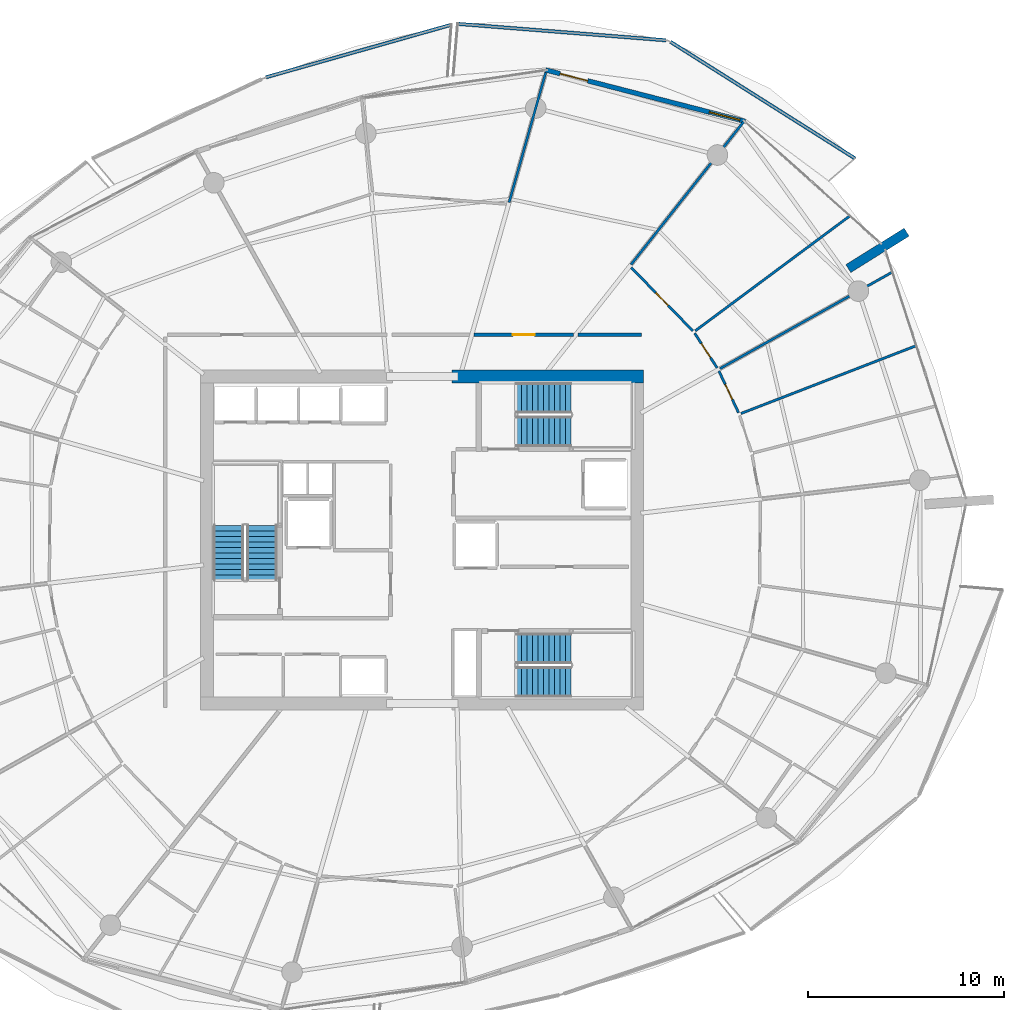
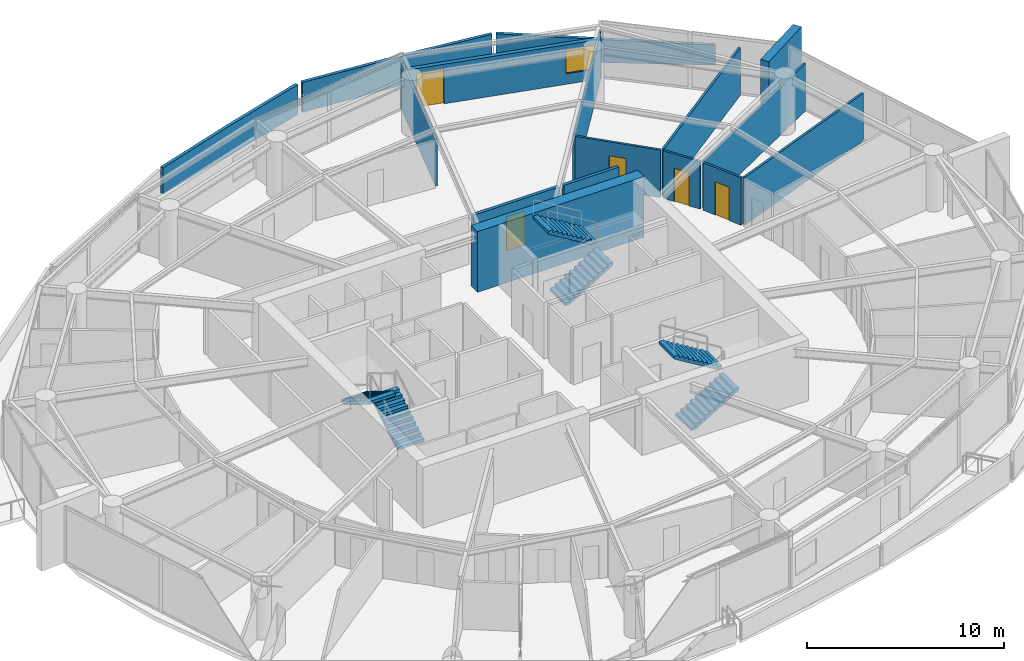
# One storey, part 15 of 20: 16 walls, 6 stair flights, 5 doors, 1 window, 6 openings, 3 elements without a shape of their own.
"""IFC4 building model written with IfcOpenShell, lengths in metres."""

import ifcopenshell
import ifcopenshell.guid

model = None  # the IFC model being written
_history = None  # IfcOwnerHistory: only IFC2X3 demands one
_inside = {}  # id of a spatial element -> (the spatial element, [elements in it])
_under = {}  # id of a project, library or spatial element -> (it, [spatial elements below it])
_declared = {}  # id of a project -> (the project, [libraries it declares])
_typed = {}  # id of a type object -> (the type object, [elements of that type])
_made_of = {}  # id of a material, layer set ... -> (it, [elements and type objects made of it])


def new_model(schema):
    """Start an empty IFC model of exactly this schema.

    Asked for "IFC4X3", IfcOpenShell would pick the latest addendum, in which some entities
    have other attributes; the version numbers below select the first issue.
    IFC2X3 requires an IfcOwnerHistory on every rooted entity: one is made here for all.
    """
    global model, _history
    if schema == "IFC4X3":
        model = ifcopenshell.file(schema_version=(4, 3, 0, 0))
    else:
        model = ifcopenshell.file(schema=schema)
    _inside.clear()
    _under.clear()
    _declared.clear()
    _typed.clear()
    _made_of.clear()
    _history = None
    if model.schema == "IFC2X3":
        org = make("IfcOrganization", Name="unknown")
        user = make(
            "IfcPersonAndOrganization",
            ThePerson=make("IfcPerson", FamilyName="unknown"),
            TheOrganization=org,
        )
        app = make(
            "IfcApplication",
            ApplicationDeveloper=org,
            Version="unknown",
            ApplicationFullName="unknown",
            ApplicationIdentifier="unknown",
        )
        _history = make(
            "IfcOwnerHistory",
            OwningUser=user,
            OwningApplication=app,
            ChangeAction="ADDED",
            CreationDate=0,
        )
    return model


def make(cls, **values):
    """One entity of the class cls with the attributes given. An attribute that is None is left unset."""
    return model.create_entity(
        cls, **{name: value for name, value in values.items() if value is not None}
    )


def rooted(cls, **values):
    """An entity with a GlobalId (a new one), such as an element, a storey or a relation."""
    return make(cls, GlobalId=ifcopenshell.guid.new(), OwnerHistory=_history, **values)


def si_unit(unit_type, name, prefix=None):
    """IfcSIUnit, for example si_unit("LENGTHUNIT", "METRE", prefix="MILLI")."""
    return make("IfcSIUnit", UnitType=unit_type, Prefix=prefix, Name=name)


def assignment(units):
    """IfcUnitAssignment: the units of a project."""
    return None if units is None else make("IfcUnitAssignment", Units=units)


def point(xyz):
    """IfcCartesianPoint."""
    return None if xyz is None else make("IfcCartesianPoint", Coordinates=xyz)


def direction(xyz):
    """IfcDirection."""
    return None if xyz is None else make("IfcDirection", DirectionRatios=xyz)


def frame(location, z_axis=None, x_axis=None):
    """IfcAxis2Placement3D, a coordinate frame: its origin and axes. An axis left out is left unset."""
    return make(
        "IfcAxis2Placement3D",
        Location=point(location),
        Axis=direction(z_axis),
        RefDirection=direction(x_axis),
    )


def frame_2d(location, x_axis=None):
    """IfcAxis2Placement2D, a coordinate frame in the plane: its origin and x axis."""
    return make(
        "IfcAxis2Placement2D", Location=point(location), RefDirection=direction(x_axis)
    )


def origin():
    """The frame at (0, 0, 0) with its axes left unset."""
    return frame((0.0, 0.0, 0.0))


def place(relative_to, where):
    """IfcLocalPlacement: puts the frame where relative to a parent placement (None: the world)."""
    return make(
        "IfcLocalPlacement", PlacementRelTo=relative_to, RelativePlacement=where
    )


def context(
    kind, dimensions, precision=None, world=None, true_north=None, identifier=None
):
    """IfcGeometricRepresentationContext, for example the 3D "Model" context."""
    return make(
        "IfcGeometricRepresentationContext",
        ContextIdentifier=identifier,
        ContextType=kind,
        CoordinateSpaceDimension=dimensions,
        Precision=precision,
        WorldCoordinateSystem=world,
        TrueNorth=true_north,
    )


def subcontext(parent, identifier, kind, view, scale=None):
    """IfcGeometricRepresentationSubContext, for example "Body" below "Model"."""
    return make(
        "IfcGeometricRepresentationSubContext",
        ContextIdentifier=identifier,
        ContextType=kind,
        ParentContext=parent,
        TargetScale=scale,
        TargetView=view,
    )


def project(units=None, contexts=None):
    """IfcProject with its units and contexts."""
    return rooted(
        "IfcProject",
        Name="project",
        RepresentationContexts=contexts,
        UnitsInContext=assignment(units),
    )


def spatial(cls, under=None, at=None, **own):
    """A site, building, storey or space (cls), placed at a placement, below another one or the project."""
    s = rooted(cls, ObjectPlacement=at, **own)
    if under is not None:
        _under.setdefault(under.id(), (under, []))[1].append(s)
    return s


def polyline(points):
    """IfcPolyline through the points."""
    return make("IfcPolyline", Points=[point(p) for p in points])


def profile(cls, at=None, kind="AREA", **sizes):
    """A parametric profile (cls). Its sizes go by their IFC names, for example OverallWidth=200.0."""
    return make(cls, ProfileType=kind, Position=at, **sizes)


def rectangle(**sizes):
    """IfcRectangleProfileDef."""
    return profile("IfcRectangleProfileDef", **sizes)


def outline(outer, holes=None, kind="AREA"):
    """IfcArbitraryClosedProfileDef: a profile drawn as a closed curve; with holes, ...WithVoids."""
    if holes is None:
        return make("IfcArbitraryClosedProfileDef", ProfileType=kind, OuterCurve=outer)
    return make(
        "IfcArbitraryProfileDefWithVoids",
        ProfileType=kind,
        OuterCurve=outer,
        InnerCurves=holes,
    )


def extrude(swept, where, along, depth):
    """IfcExtrudedAreaSolid: the profile swept, set in the frame where, extruded along a direction by depth."""
    return make(
        "IfcExtrudedAreaSolid",
        SweptArea=swept,
        Position=where,
        ExtrudedDirection=direction(along),
        Depth=depth,
    )


def shape(context_of_items, identifier, shape_type, items):
    """IfcShapeRepresentation: the items that make up one representation, for example the "Body"."""
    return make(
        "IfcShapeRepresentation",
        ContextOfItems=context_of_items,
        RepresentationIdentifier=identifier,
        RepresentationType=shape_type,
        Items=items,
    )


def material(Name=None, Category=None):
    """IfcMaterial."""
    return make("IfcMaterial", Name=Name, Category=Category)


def layer(
    of_material, thickness, ventilated=None, Name=None, Category=None, Priority=None
):
    """IfcMaterialLayer: one layer of a wall or slab, of a material (None: an air gap)."""
    return make(
        "IfcMaterialLayer",
        Material=of_material,
        LayerThickness=thickness,
        IsVentilated=ventilated,
        Name=Name,
        Category=Category,
        Priority=Priority,
    )


def layer_set(layers, Name=None):
    """IfcMaterialLayerSet."""
    return make("IfcMaterialLayerSet", MaterialLayers=layers, LayerSetName=Name)


def made_of(thing, what):
    """Note that an element or type object is made of a material, layer set ...; save() writes the relation."""
    if what is not None:
        _made_of.setdefault(what.id(), (what, []))[1].append(thing)
    return thing


def type_object(cls, material=None, **own):
    """A type object (cls), such as IfcWallType, which elements share."""
    return made_of(rooted(cls, **own), material)


def element(
    cls,
    number,
    at=None,
    inside=None,
    cuts=None,
    type_object=None,
    material=None,
    context=None,
    identifier="Body",
    shape_type=None,
    held_by="IfcProductDefinitionShape",
    body=None,
    shapes=None,
    **own,
):
    """One element of the class cls, such as IfcWall. Its Tag is "e" and its number.

    at: its placement. inside: the storey or other place that contains it. cuts: it is an
    opening in that element (IfcRelVoidsElement). A single representation is given by context,
    identifier, shape_type and body (its items); several are given by shapes. held_by: the class
    of the entity that holds the representations. save() writes the other relations.
    """
    e = rooted(cls, Tag="e%d" % number, ObjectPlacement=at, **own)
    if body is not None:
        shapes = [shape(context, identifier, shape_type, body)]
    if shapes is not None:
        e.Representation = make(held_by, Representations=shapes)
    if inside is not None:
        _inside.setdefault(inside.id(), (inside, []))[1].append(e)
    if cuts is not None:
        rooted(
            "IfcRelVoidsElement", RelatingBuildingElement=cuts, RelatedOpeningElement=e
        )
    if type_object is not None:
        _typed.setdefault(type_object.id(), (type_object, []))[1].append(e)
    return made_of(e, material)


def fill(opening, filler):
    """IfcRelFillsElement: the door or window that sits in an opening."""
    return rooted(
        "IfcRelFillsElement",
        RelatingOpeningElement=opening,
        RelatedBuildingElement=filler,
    )


def aggregate(whole, parts):
    """IfcRelAggregates: a whole, such as a stair, and the parts it consists of."""
    return rooted("IfcRelAggregates", RelatingObject=whole, RelatedObjects=parts)


def save(model, path):
    """Write the relations noted so far, then the file.

    IfcRelAggregates (storeys below a building ...), IfcRelContainedInSpatialStructure (elements
    in a storey), IfcRelDefinesByType, IfcRelAssociatesMaterial and IfcRelDeclares: one each for
    every whole, place, type object, material and project.
    """
    for whole, parts in _under.values():
        aggregate(whole, parts)
    for where, things in _inside.values():
        rooted(
            "IfcRelContainedInSpatialStructure",
            RelatedElements=things,
            RelatingStructure=where,
        )
    for kind, things in _typed.values():
        rooted("IfcRelDefinesByType", RelatedObjects=things, RelatingType=kind)
    for what, things in _made_of.values():
        rooted("IfcRelAssociatesMaterial", RelatedObjects=things, RelatingMaterial=what)
    for by, libraries in _declared.values():
        rooted("IfcRelDeclares", RelatingContext=by, RelatedDefinitions=libraries)
    model.write(path)


model = new_model("IFC4")

# Units and contexts
model_context = context("Model", 3, precision=1e-05, world=origin(), true_north=direction((0.0, 1.0)))
body_context = subcontext(model_context, "Body", "Model", "MODEL_VIEW")
ifc_project = project(units=[si_unit("LENGTHUNIT", "METRE"), si_unit("AREAUNIT", "SQUARE_METRE"), si_unit("VOLUMEUNIT", "CUBIC_METRE"), si_unit("PLANEANGLEUNIT", "RADIAN"), si_unit("MASSUNIT", "GRAM", prefix="KILO")], contexts=[model_context])

# Site, building, storey
site_placement = place(None, origin())
site = spatial("IfcSite", under=ifc_project, at=site_placement, CompositionType="ELEMENT")
building_placement = place(site_placement, origin())
building = spatial("IfcBuilding", under=site, at=building_placement, Name="Kazma Halo Residences", CompositionType="ELEMENT")
storey_placement = place(building_placement, frame((0.0, 0.0, 217.800048828125)))
storey = spatial("IfcBuildingStorey", under=building, at=storey_placement, Name="L55", CompositionType="ELEMENT", Elevation=217.800048828125)

# Walls
ifc_material_1 = material(Name="White Concrete C50/60 Balustrade", Category="concrete")
ifc_layer_1 = layer(ifc_material_1, 0.179931640625)
ifc_layer_set_1 = layer_set([ifc_layer_1], Name="White Concrete C50/60 Balustrade")
wall_type_1 = type_object("IfcWallType", Name="WL-BAL-WAVE-180", PredefinedType="PARAPET", material=ifc_layer_set_1)
wall_1_placement = place(storey_placement, frame((70.4599609375, 61.421142578125, 0.0), z_axis=(0.0, 0.0, 1.0), x_axis=(-0.845278126761, 0.53432657469, 0.0)))
element("IfcWall", 1, at=wall_1_placement, inside=storey, type_object=wall_type_1, Name="L55 white wave balustrade wall NE.1", PredefinedType="PARAPET", context=body_context, shape_type="SweptSolid", body=[
    extrude(outline(polyline([(0.0, 0.0), (11.123046875, 0.0), (11.123046875, 1.6318359375), (5.5615234375, 1.41796875), (0.0, 1.23291015625), (0.0, 0.0)])), frame((0.0, 0.08984375, 0.0), z_axis=(0.0, -1.0, 0.0), x_axis=(1.0, 0.0, 0.0)), (0.0, 0.0, 1.0), 0.179931640625),
])
wall_2_placement = place(storey_placement, frame((60.8369140625, 67.43798828125, 0.0), z_axis=(0.0, 0.0, 1.0), x_axis=(-0.996896537744, 0.078722887613, 0.0)))
element("IfcWall", 2, at=wall_2_placement, inside=storey, type_object=wall_type_1, Name="L55 white wave balustrade wall NE.2", PredefinedType="PARAPET", context=body_context, shape_type="SweptSolid", body=[
    extrude(outline(polyline([(0.0, 0.0), (10.640380859375, 0.0), (10.640380859375, 1.85986328125), (5.3203125, 1.7978515625), (0.0, 1.6318359375), (0.0, 0.0)])), frame((0.0, 0.08984375, 0.0), z_axis=(0.0, -1.0, 0.0), x_axis=(1.0, 0.0, 0.0)), (0.0, 0.0, 1.0), 0.179931640625),
])
wall_3_placement = place(storey_placement, frame((49.9033203125, 68.229736328125, 0.0), z_axis=(0.0, 0.0, 1.0), x_axis=(-0.962080224774, -0.272766642205, 0.0)))
element("IfcWall", 3, at=wall_3_placement, inside=storey, type_object=wall_type_1, Name="L55 white wave balustrade wall NNW.1", PredefinedType="PARAPET", context=body_context, shape_type="SweptSolid", body=[
    extrude(outline(polyline([(0.0, 0.0), (9.802734375, 0.0), (9.802490234375, 1.6318359375), (4.9013671875, 1.7978515625), (0.0, 1.85986328125), (0.0, 0.0)])), frame((0.0, 0.08984375, 0.0), z_axis=(0.0, -1.0, 0.0), x_axis=(1.0, 0.0, 0.0)), (0.0, 0.0, 1.0), 0.179931640625),
])
ifc_material_2 = material(Name="Pale Concrete C60/75", Category="concrete")
ifc_layer_2 = layer(ifc_material_2, 0.47998046875)
ifc_layer_set_2 = layer_set([ifc_layer_2], Name="Pale Concrete C60/75")
wall_type_2 = type_object("IfcWallType", Name="WL-BLADE-480", PredefinedType="SOLIDWALL", material=ifc_layer_set_2)
wall_4_placement = place(storey_placement, frame((70.11376953125, 55.818115234375, 0.0), z_axis=(0.0, 0.0, 1.0), x_axis=(0.848033572426, 0.529942506352, 0.0)))
element("IfcWall", 4, at=wall_4_placement, inside=storey, type_object=wall_type_2, Name="L55 pale concrete structural blade fin wall BW-01", PredefinedType="SOLIDWALL", context=body_context, shape_type="SweptSolid", body=[
    extrude(rectangle(XDim=3.5, YDim=0.47998046875, at=frame_2d((1.75, 0.0))), origin(), (0.0, 0.0, 1.0), 3.75),
])
ifc_material_3 = material(Name="Concrete C60/75", Category="concrete")
ifc_layer_3 = layer(ifc_material_3, 0.64990234375)
ifc_layer_set_3 = layer_set([ifc_layer_3], Name="Concrete C60/75")
wall_type_3 = type_object("IfcWallType", Name="WL-CORE-650", PredefinedType="SHEAR", material=ifc_layer_set_3)
wall_5_placement = place(storey_placement, frame((49.949951171875, 50.324951171875, 0.0), z_axis=(0.0, 0.0, 1.0), x_axis=(1.0, 0.0, 0.0)))
element("IfcWall", 5, at=wall_5_placement, inside=storey, type_object=wall_type_3, Name="L55 central core shear wall NE", PredefinedType="SHEAR", context=body_context, shape_type="SweptSolid", body=[
    extrude(rectangle(XDim=9.75, YDim=0.64990234375, at=frame_2d((4.875, 0.0))), origin(), (0.0, 0.0, 1.0), 3.75),
])

# Wall, opening, door
ifc_material_4 = material(Name="Acoustic Twin-Stud Gypsum")
ifc_layer_4 = layer(ifc_material_4, 0.179931640625)
ifc_layer_set_4 = layer_set([ifc_layer_4], Name="Acoustic Twin-Stud Gypsum")
wall_type_4 = type_object("IfcWallType", Name="WL-DEM-180", PredefinedType="PARTITIONING", material=ifc_layer_set_4)
wall_6_placement = place(storey_placement, frame((56.1181640625, 52.449951171875, 0.0), z_axis=(0.0, 0.0, 1.0), x_axis=(-1.0, 0.0, 0.0)))
wall_6 = element("IfcWall", 6, at=wall_6_placement, inside=storey, type_object=wall_type_4, Name="L55 Apartment 2 entrance corridor wall", PredefinedType="PARTITIONING", context=body_context, shape_type="SweptSolid", body=[
    extrude(rectangle(XDim=5.051025390625, YDim=0.179931640625, at=frame_2d((2.525390625, 0.0))), origin(), (0.0, 0.0, 1.0), 2.93994140625),
])
opening_1_placement = place(wall_6_placement, frame((1.975341796875, 0.0, 0.0)))
opening_1 = element("IfcOpeningElement", 7, at=opening_1_placement, cuts=wall_6, Name="Opening DA-1100", PredefinedType="OPENING", context=body_context, shape_type="SweptSolid", body=[
    extrude(rectangle(XDim=1.10009765625, YDim=2.10009765625, at=frame_2d((0.550048828125, 1.050048828125))), frame((0.0, 0.099853515625, 0.0), z_axis=(0.0, -1.0, 0.0), x_axis=(1.0, 0.0, 0.0)), (0.0, 0.0, 1.0), 0.199951171875),
])
ifc_material_5 = material(Name="Acoustic Walnut Fire Leaf")
door_type_1 = type_object("IfcDoorType", Name="DR-FD60-1100", OperationType="NOTDEFINED", PredefinedType="DOOR", material=ifc_material_5)
door_1_placement = place(opening_1_placement, origin())
door_1 = element("IfcDoor", 8, at=door_1_placement, inside=storey, type_object=door_type_1, Name="L55 Apartment 2 entrance fire door", OperationType="SINGLE_SWING_RIGHT", OverallHeight=2.10009765625, OverallWidth=1.10009765625, PredefinedType="DOOR", context=body_context, shape_type="SweptSolid", body=[
    extrude(rectangle(XDim=1.10009765625, YDim=2.10009765625, at=frame_2d((0.550048828125, 1.050048828125))), frame((0.0, 0.02490234375, 0.0), z_axis=(0.0, -1.0, 0.0), x_axis=(1.0, 0.0, 0.0)), (0.0, 0.0, 1.0), 0.050048828125),
])
fill(opening_1, door_1)

# Wall
wall_7_placement = place(storey_placement, frame((59.580078125, 52.449951171875, 0.0), z_axis=(0.0, 0.0, 1.0), x_axis=(-1.0, 0.0, 0.0)))
element("IfcWall", 9, at=wall_7_placement, inside=storey, type_object=wall_type_4, Name="L55 Apartment 2 inner wall 0", PredefinedType="PARTITIONING", context=body_context, shape_type="SweptSolid", body=[
    extrude(rectangle(XDim=3.221923828125, YDim=0.179931640625, at=frame_2d((1.61083984375, 0.0))), origin(), (0.0, 0.0, 1.0), 2.93994140625),
])

# Wall, openings, door, window
ifc_material_6 = material(Name="Insulated Pale-Metal Composite Wall")
ifc_layer_5 = layer(ifc_material_6, 0.239990234375)
ifc_layer_set_5 = layer_set([ifc_layer_5], Name="Insulated Pale-Metal Composite Wall")
wall_type_5 = type_object("IfcWallType", Name="WL-EXT-HOST-240", PredefinedType="SOLIDWALL", material=ifc_layer_set_5)
wall_8_placement = place(storey_placement, frame((64.860107421875, 63.31298828125, 0.0), z_axis=(0.0, 0.0, 1.0), x_axis=(-0.968374028006, 0.249502989727, 0.0)))
wall_8 = element("IfcWall", 10, at=wall_8_placement, inside=storey, type_object=wall_type_5, Name="L55 exterior terrace-access wall B02", PredefinedType="SOLIDWALL", context=body_context, shape_type="SweptSolid", body=[
    extrude(rectangle(XDim=10.494384765625, YDim=0.239990234375, at=frame_2d((5.2470703125, 0.0))), origin(), (0.0, 0.0, 1.0), 2.449951171875),
])
opening_2_placement = place(wall_8_placement, frame((8.2744140625, 0.0, 0.0)))
opening_2 = element("IfcOpeningElement", 11, at=opening_2_placement, cuts=wall_8, Name="Opening DTR-1600", PredefinedType="OPENING", context=body_context, shape_type="SweptSolid", body=[
    extrude(rectangle(XDim=1.449951171875, YDim=2.14990234375, at=frame_2d((0.72509765625, 1.074951171875))), frame((0.0, 0.1298828125, 0.0), z_axis=(0.0, -1.0, 0.0), x_axis=(1.0, 0.0, 0.0)), (0.0, 0.0, 1.0), 0.260009765625),
])
opening_3_placement = place(wall_8_placement, frame((0.280029296875, 0.0, 0.64990234375)))
opening_3 = element("IfcOpeningElement", 12, at=opening_3_placement, cuts=wall_8, Name="Opening W-1800", PredefinedType="OPENING", context=body_context, shape_type="SweptSolid", body=[
    extrude(rectangle(XDim=1.60009765625, YDim=1.5, at=frame_2d((0.800048828125, 0.75))), frame((0.0, 0.1298828125, 0.0), z_axis=(0.0, -1.0, 0.0), x_axis=(1.0, 0.0, 0.0)), (0.0, 0.0, 1.0), 0.260009765625),
])
ifc_material_7 = material(Name="Aluminium AW-6063 T6 Double-Glazed Terrace Door", Category="aluminium")
door_type_2 = type_object("IfcDoorType", Name="DR-EXT-TERR-1600", OperationType="NOTDEFINED", PredefinedType="DOOR", material=ifc_material_7)
door_2_placement = place(opening_2_placement, origin())
door_2 = element("IfcDoor", 13, at=door_2_placement, inside=storey, type_object=door_type_2, Name="L55 B02 balcony terrace door", OperationType="DOUBLE_DOOR_SLIDING", OverallHeight=2.14990234375, OverallWidth=1.449951171875, PredefinedType="DOOR", context=body_context, shape_type="SweptSolid", body=[
    extrude(rectangle(XDim=1.449951171875, YDim=2.14990234375, at=frame_2d((0.72509765625, 1.074951171875))), frame((0.0, 0.02490234375, 0.0), z_axis=(0.0, -1.0, 0.0), x_axis=(1.0, 0.0, 0.0)), (0.0, 0.0, 1.0), 0.050048828125),
])
fill(opening_2, door_2)
ifc_material_8 = material(Name="Clear Triple-Silver Low-E Glass in Aluminium AW-6063 T6 Frame", Category="aluminium")
window_type = type_object("IfcWindowType", Name="WIN-RES-1800", PartitioningType="DOUBLE_PANEL_VERTICAL", PredefinedType="WINDOW", material=ifc_material_8)
window_placement = place(opening_3_placement, origin())
window = element("IfcWindow", 14, at=window_placement, inside=storey, type_object=window_type, Name="L55 B02 apartment window", OverallHeight=1.5, OverallWidth=1.60009765625, PartitioningType="SINGLE_PANEL", PredefinedType="WINDOW", context=body_context, shape_type="SweptSolid", body=[
    extrude(rectangle(XDim=1.60009765625, YDim=1.5, at=frame_2d((0.800048828125, 0.75))), frame((0.0, 0.030029296875, 0.0), z_axis=(0.0, -1.0, 0.0), x_axis=(1.0, 0.0, 0.0)), (0.0, 0.0, 1.0), 0.06005859375),
])
fill(opening_3, window)

# Wall
ifc_material_9 = material(Name="Gypsum Plasterboard Partition")
ifc_layer_6 = layer(ifc_material_9, 0.125)
ifc_layer_set_6 = layer_set([ifc_layer_6], Name="Gypsum Plasterboard Partition")
wall_type_6 = type_object("IfcWallType", Name="WL-PART-125", PredefinedType="PARTITIONING", material=ifc_layer_set_6)
wall_9_placement = place(storey_placement, frame((64.644775390625, 48.439453125, 0.0), z_axis=(0.0, 0.0, 1.0), x_axis=(0.932643011801, 0.360800516266, 0.0)))
element("IfcWall", 15, at=wall_9_placement, inside=storey, type_object=wall_type_6, Name="L55 Apartment 2 bay wall 2 15", PredefinedType="PARTITIONING", context=body_context, shape_type="SweptSolid", body=[
    extrude(rectangle(XDim=9.55322265625, YDim=0.125, at=frame_2d((4.776611328125, 0.0))), origin(), (0.0, 0.0, 1.0), 2.93994140625),
])

# Wall, opening, door
wall_10_placement = place(storey_placement, frame((64.52685546875, 48.479248046875, 0.0), z_axis=(0.0, 0.0, 1.0), x_axis=(-0.425751972865, 0.904839907167, 0.0)))
wall_10 = element("IfcWall", 16, at=wall_10_placement, inside=storey, type_object=wall_type_6, Name="L55 Apartment 2 Secondary Bedroom hall wall", PredefinedType="PARTITIONING", context=body_context, shape_type="SweptSolid", body=[
    extrude(rectangle(XDim=2.34814453125, YDim=0.125, at=frame_2d((1.174072265625, 0.0))), origin(), (0.0, 0.0, 1.0), 2.93994140625),
])
opening_4_placement = place(wall_10_placement, frame((0.7490234375, 0.0, 0.0)))
opening_4 = element("IfcOpeningElement", 17, at=opening_4_placement, cuts=wall_10, Name="Opening DB-900", PredefinedType="OPENING", context=body_context, shape_type="SweptSolid", body=[
    extrude(rectangle(XDim=0.85009765625, YDim=2.06005859375, at=frame_2d((0.425048828125, 1.030029296875))), frame((0.0, 0.072509765625, 0.0), z_axis=(0.0, -1.0, 0.0), x_axis=(1.0, 0.0, 0.0)), (0.0, 0.0, 1.0), 0.14501953125),
])
ifc_material_10 = material(Name="Moisture-Sealed Timber Leaf", Category="wood")
door_type_3 = type_object("IfcDoorType", Name="DR-BTH-900", OperationType="NOTDEFINED", PredefinedType="DOOR", material=ifc_material_10)
door_3_placement = place(opening_4_placement, origin())
door_3 = element("IfcDoor", 18, at=door_3_placement, inside=storey, type_object=door_type_3, Name="L55 Apartment 2 Secondary Bedroom door", OperationType="SINGLE_SWING_RIGHT", OverallHeight=2.06005859375, OverallWidth=0.85009765625, PredefinedType="DOOR", context=body_context, shape_type="SweptSolid", body=[
    extrude(rectangle(XDim=0.85009765625, YDim=2.06005859375, at=frame_2d((0.425048828125, 1.030029296875))), frame((0.0, 0.02490234375, 0.0), z_axis=(0.0, -1.0, 0.0), x_axis=(1.0, 0.0, 0.0)), (0.0, 0.0, 1.0), 0.050048828125),
])
fill(opening_4, door_3)

# Walls
wall_11_placement = place(storey_placement, frame((63.580078125, 50.725341796875, 0.0), z_axis=(0.0, 0.0, 1.0), x_axis=(0.872500209599, 0.488613737271, 0.0)))
element("IfcWall", 19, at=wall_11_placement, inside=storey, type_object=wall_type_6, Name="L55 Apartment 2 radial partition 0", PredefinedType="PARTITIONING", context=body_context, shape_type="SweptSolid", body=[
    extrude(rectangle(XDim=10.0380859375, YDim=0.125, at=frame_2d((5.01904296875, 0.0))), origin(), (0.0, 0.0, 1.0), 2.93994140625),
])
wall_12_placement = place(storey_placement, frame((59.05517578125, 56.0234375, 0.0), z_axis=(0.0, 0.0, 1.0), x_axis=(0.619089281125, 0.785320610958, 0.0)))
element("IfcWall", 20, at=wall_12_placement, inside=storey, type_object=wall_type_6, Name="L55 Apartment 2 living radial partition 0", PredefinedType="PARTITIONING", context=body_context, shape_type="SweptSolid", body=[
    extrude(rectangle(XDim=9.273193359375, YDim=0.125, at=frame_2d((4.63671875, 0.0))), origin(), (0.0, 0.0, 1.0), 2.93994140625),
])
wall_13_placement = place(storey_placement, frame((62.322265625, 52.648193359375, 0.0), z_axis=(0.0, 0.0, 1.0), x_axis=(0.802503099197, 0.596647949615, 0.0)))
element("IfcWall", 21, at=wall_13_placement, inside=storey, type_object=wall_type_6, Name="L55 Apartment 2 mid-bay wall 0", PredefinedType="PARTITIONING", context=body_context, shape_type="SweptSolid", body=[
    extrude(rectangle(XDim=9.78076171875, YDim=0.125, at=frame_2d((4.890380859375, 0.0))), origin(), (0.0, 0.0, 1.0), 2.93994140625),
])

# Wall, opening, door
wall_14_placement = place(storey_placement, frame((63.4384765625, 50.76025390625, 0.0), z_axis=(0.0, 0.0, 1.0), x_axis=(-0.543655035047, 0.839308764918, 0.0)))
wall_14 = element("IfcWall", 22, at=wall_14_placement, inside=storey, type_object=wall_type_6, Name="L55 Apartment 2 East Wine Pantry Store hall wall", PredefinedType="PARTITIONING", context=body_context, shape_type="SweptSolid", body=[
    extrude(rectangle(XDim=2.105712890625, YDim=0.125, at=frame_2d((1.052734375, 0.0))), origin(), (0.0, 0.0, 1.0), 2.93994140625),
])
opening_5_placement = place(wall_14_placement, frame((0.627685546875, 0.0, 0.0)))
opening_5 = element("IfcOpeningElement", 23, at=opening_5_placement, cuts=wall_14, Name="Opening DB-900", PredefinedType="OPENING", context=body_context, shape_type="SweptSolid", body=[
    extrude(rectangle(XDim=0.85009765625, YDim=2.06005859375, at=frame_2d((0.425048828125, 1.030029296875))), frame((0.0, 0.072509765625, 0.0), z_axis=(0.0, -1.0, 0.0), x_axis=(1.0, 0.0, 0.0)), (0.0, 0.0, 1.0), 0.14501953125),
])
door_4_placement = place(opening_5_placement, origin())
door_4 = element("IfcDoor", 24, at=door_4_placement, inside=storey, type_object=door_type_3, Name="L55 Apartment 2 East Wine Pantry Store door", OperationType="SINGLE_SWING_RIGHT", OverallHeight=2.06005859375, OverallWidth=0.85009765625, PredefinedType="DOOR", context=body_context, shape_type="SweptSolid", body=[
    extrude(rectangle(XDim=0.85009765625, YDim=2.06005859375, at=frame_2d((0.425048828125, 1.030029296875))), frame((0.0, 0.02490234375, 0.0), z_axis=(0.0, -1.0, 0.0), x_axis=(1.0, 0.0, 0.0)), (0.0, 0.0, 1.0), 0.050048828125),
])
fill(opening_5, door_4)

wall_15_placement = place(storey_placement, frame((62.1943359375, 52.652099609375, 0.0), z_axis=(0.0, 0.0, 1.0), x_axis=(-0.697036484993, 0.717035660611, 0.0)))
wall_15 = element("IfcWall", 25, at=wall_15_placement, inside=storey, type_object=wall_type_6, Name="L55 Apartment 2 West Formal Dining Room hall wall", PredefinedType="PARTITIONING", context=body_context, shape_type="SweptSolid", body=[
    extrude(rectangle(XDim=4.492431640625, YDim=0.125, at=frame_2d((2.24609375, 0.0))), origin(), (0.0, 0.0, 1.0), 2.93994140625),
])
opening_6_placement = place(wall_15_placement, frame((1.796142578125, 0.0, 0.0)))
opening_6 = element("IfcOpeningElement", 26, at=opening_6_placement, cuts=wall_15, Name="Opening DI-950", PredefinedType="OPENING", context=body_context, shape_type="SweptSolid", body=[
    extrude(rectangle(XDim=0.89990234375, YDim=2.080078125, at=frame_2d((0.449951171875, 1.0400390625))), frame((0.0, 0.072509765625, 0.0), z_axis=(0.0, -1.0, 0.0), x_axis=(1.0, 0.0, 0.0)), (0.0, 0.0, 1.0), 0.14501953125),
])
ifc_material_11 = material(Name="Timber Veneer Flush Leaf", Category="wood")
door_type_4 = type_object("IfcDoorType", Name="DR-INT-950", OperationType="NOTDEFINED", PredefinedType="DOOR", material=ifc_material_11)
door_5_placement = place(opening_6_placement, origin())
door_5 = element("IfcDoor", 27, at=door_5_placement, inside=storey, type_object=door_type_4, Name="L55 Apartment 2 West Formal Dining Room door", OperationType="SINGLE_SWING_LEFT", OverallHeight=2.080078125, OverallWidth=0.89990234375, PredefinedType="DOOR", context=body_context, shape_type="SweptSolid", body=[
    extrude(rectangle(XDim=0.89990234375, YDim=2.080078125, at=frame_2d((0.449951171875, 1.0400390625))), frame((0.0, 0.02490234375, 0.0), z_axis=(0.0, -1.0, 0.0), x_axis=(1.0, 0.0, 0.0)), (0.0, 0.0, 1.0), 0.050048828125),
])
fill(opening_6, door_5)

# Wall
wall_16_placement = place(storey_placement, frame((52.84716796875, 59.1865234375, 0.0), z_axis=(0.0, 0.0, 1.0), x_axis=(0.271433998897, 0.962457055791, 0.0)))
element("IfcWall", 28, at=wall_16_placement, inside=storey, type_object=wall_type_6, Name="L55 Apartment 2 radial partition 2", PredefinedType="PARTITIONING", context=body_context, shape_type="SweptSolid", body=[
    extrude(rectangle(XDim=6.869873046875, YDim=0.125, at=frame_2d((3.43505859375, 0.0))), origin(), (0.0, 0.0, 1.0), 2.93994140625),
])

# Stair, stair flights
ifc_material_12 = material(Name="Concrete C50/60", Category="concrete")
stair_type = type_object("IfcStairType", Name="STR-RES1", PredefinedType="HALF_TURN_STAIR", material=ifc_material_12)
stair_1_placement = place(storey_placement, origin())
stair_1 = element("IfcStair", 29, at=stair_1_placement, inside=storey, type_object=stair_type, Name="L55 Core exit stair ST-01", PredefinedType="HALF_TURN_STAIR")
stair_flight_type = type_object("IfcStairFlightType", Name="STR-RES1-FLT", PredefinedType="STRAIGHT", material=ifc_material_12)
stair_flight_1_placement = place(storey_placement, frame((40.27490234375, 39.949951171875, 0.0), z_axis=(0.0, 0.0, 1.0), x_axis=(0.0, 1.0, 0.0)))
stair_flight_1 = element("IfcStairFlight", 30, at=stair_flight_1_placement, type_object=stair_flight_type, Name="ST-01 flight 1", NumberOfRisers=11, NumberOfTreads=10, PredefinedType="STRAIGHT", RiserHeight=0.170454545, TreadLength=0.28, context=body_context, shape_type="SweptSolid", body=[
    extrude(outline(polyline([(0.0, 0.0), (0.0, 0.17041015625), (0.280029296875, 0.17041015625), (0.280029296875, 0.3408203125), (0.56005859375, 0.3408203125), (0.56005859375, 0.511474609375), (0.840087890625, 0.511474609375), (0.840087890625, 0.681884765625), (1.1201171875, 0.681884765625), (1.1201171875, 0.852294921875), (1.39990234375, 0.852294921875), (1.39990234375, 1.022705078125), (1.679931640625, 1.022705078125), (1.679931640625, 1.193115234375), (1.9599609375, 1.193115234375), (1.9599609375, 1.363525390625), (2.239990234375, 1.363525390625), (2.239990234375, 1.5341796875), (2.52001953125, 1.5341796875), (2.52001953125, 1.70458984375), (2.800048828125, 1.70458984375), (2.800048828125, 1.875), (2.800048828125, 1.529052734375), (0.288330078125, 0.0), (0.0, 0.0)])), frame((0.0, 0.77490234375, 0.0), z_axis=(0.0, -1.0, 0.0), x_axis=(1.0, 0.0, 0.0)), (0.0, 0.0, 1.0), 1.550048828125),
])
stair_flight_2_placement = place(storey_placement, frame((38.574951171875, 42.75, 1.875), z_axis=(0.0, 0.0, 1.0), x_axis=(0.0, -1.0, 0.0)))
stair_flight_2 = element("IfcStairFlight", 31, at=stair_flight_2_placement, type_object=stair_flight_type, Name="ST-01 flight 2", NumberOfRisers=11, NumberOfTreads=10, PredefinedType="STRAIGHT", RiserHeight=0.170454545, TreadLength=0.28, context=body_context, shape_type="SweptSolid", body=[
    extrude(outline(polyline([(0.0, 0.0), (0.0, 0.17041015625), (0.280029296875, 0.17041015625), (0.280029296875, 0.3408203125), (0.56005859375, 0.3408203125), (0.56005859375, 0.511474609375), (0.840087890625, 0.511474609375), (0.840087890625, 0.681884765625), (1.1201171875, 0.681884765625), (1.1201171875, 0.852294921875), (1.39990234375, 0.852294921875), (1.39990234375, 1.022705078125), (1.679931640625, 1.022705078125), (1.679931640625, 1.193115234375), (1.9599609375, 1.193115234375), (1.9599609375, 1.363525390625), (2.239990234375, 1.363525390625), (2.239990234375, 1.5341796875), (2.52001953125, 1.5341796875), (2.52001953125, 1.70458984375), (2.800048828125, 1.70458984375), (2.800048828125, 1.875), (2.800048828125, 1.529052734375), (0.288330078125, 0.0), (0.0, 0.0)])), frame((0.0, 0.77490234375, 0.0), z_axis=(0.0, -1.0, 0.0), x_axis=(1.0, 0.0, 0.0)), (0.0, 0.0, 1.0), 1.550048828125),
])
aggregate(stair_1, [stair_flight_1, stair_flight_2])

stair_2_placement = place(storey_placement, origin())
stair_2 = element("IfcStair", 32, at=stair_2_placement, inside=storey, type_object=stair_type, Name="L55 Core exit stair ST-02", PredefinedType="HALF_TURN_STAIR")
stair_flight_3_placement = place(storey_placement, frame((53.199951171875, 47.52490234375, 0.0), z_axis=(0.0, 0.0, 1.0), x_axis=(1.0, 0.0, 0.0)))
stair_flight_3 = element("IfcStairFlight", 33, at=stair_flight_3_placement, type_object=stair_flight_type, Name="ST-02 flight 1", NumberOfRisers=11, NumberOfTreads=10, PredefinedType="STRAIGHT", RiserHeight=0.170454545, TreadLength=0.28, context=body_context, shape_type="SweptSolid", body=[
    extrude(outline(polyline([(0.0, 0.0), (0.0, 0.17041015625), (0.280029296875, 0.17041015625), (0.280029296875, 0.3408203125), (0.56005859375, 0.3408203125), (0.56005859375, 0.511474609375), (0.840087890625, 0.511474609375), (0.840087890625, 0.681884765625), (1.1201171875, 0.681884765625), (1.1201171875, 0.852294921875), (1.39990234375, 0.852294921875), (1.39990234375, 1.022705078125), (1.679931640625, 1.022705078125), (1.679931640625, 1.193115234375), (1.9599609375, 1.193115234375), (1.9599609375, 1.363525390625), (2.239990234375, 1.363525390625), (2.239990234375, 1.5341796875), (2.52001953125, 1.5341796875), (2.52001953125, 1.70458984375), (2.800048828125, 1.70458984375), (2.800048828125, 1.875), (2.800048828125, 1.529052734375), (0.288330078125, 0.0), (0.0, 0.0)])), frame((0.0, 0.77490234375, 0.0), z_axis=(0.0, -1.0, 0.0), x_axis=(1.0, 0.0, 0.0)), (0.0, 0.0, 1.0), 1.550048828125),
])
stair_flight_4_placement = place(storey_placement, frame((56.0, 49.22509765625, 1.875), z_axis=(0.0, 0.0, 1.0), x_axis=(-1.0, 0.0, 0.0)))
stair_flight_4 = element("IfcStairFlight", 34, at=stair_flight_4_placement, type_object=stair_flight_type, Name="ST-02 flight 2", NumberOfRisers=11, NumberOfTreads=10, PredefinedType="STRAIGHT", RiserHeight=0.170454545, TreadLength=0.28, context=body_context, shape_type="SweptSolid", body=[
    extrude(outline(polyline([(0.0, 0.0), (0.0, 0.17041015625), (0.280029296875, 0.17041015625), (0.280029296875, 0.3408203125), (0.56005859375, 0.3408203125), (0.56005859375, 0.511474609375), (0.840087890625, 0.511474609375), (0.840087890625, 0.681884765625), (1.1201171875, 0.681884765625), (1.1201171875, 0.852294921875), (1.39990234375, 0.852294921875), (1.39990234375, 1.022705078125), (1.679931640625, 1.022705078125), (1.679931640625, 1.193115234375), (1.9599609375, 1.193115234375), (1.9599609375, 1.363525390625), (2.239990234375, 1.363525390625), (2.239990234375, 1.5341796875), (2.52001953125, 1.5341796875), (2.52001953125, 1.70458984375), (2.800048828125, 1.70458984375), (2.800048828125, 1.875), (2.800048828125, 1.529052734375), (0.288330078125, 0.0), (0.0, 0.0)])), frame((0.0, 0.77490234375, 0.0), z_axis=(0.0, -1.0, 0.0), x_axis=(1.0, 0.0, 0.0)), (0.0, 0.0, 1.0), 1.550048828125),
])
aggregate(stair_2, [stair_flight_3, stair_flight_4])

stair_3_placement = place(storey_placement, origin())
stair_3 = element("IfcStair", 35, at=stair_3_placement, inside=storey, type_object=stair_type, Name="L55 Core exit stair ST-03", PredefinedType="HALF_TURN_STAIR")
stair_flight_5_placement = place(storey_placement, frame((53.199951171875, 34.77490234375, 0.0), z_axis=(0.0, 0.0, 1.0), x_axis=(1.0, 0.0, 0.0)))
stair_flight_5 = element("IfcStairFlight", 36, at=stair_flight_5_placement, type_object=stair_flight_type, Name="ST-03 flight 1", NumberOfRisers=11, NumberOfTreads=10, PredefinedType="STRAIGHT", RiserHeight=0.170454545, TreadLength=0.28, context=body_context, shape_type="SweptSolid", body=[
    extrude(outline(polyline([(0.0, 0.0), (0.0, 0.17041015625), (0.280029296875, 0.17041015625), (0.280029296875, 0.3408203125), (0.56005859375, 0.3408203125), (0.56005859375, 0.511474609375), (0.840087890625, 0.511474609375), (0.840087890625, 0.681884765625), (1.1201171875, 0.681884765625), (1.1201171875, 0.852294921875), (1.39990234375, 0.852294921875), (1.39990234375, 1.022705078125), (1.679931640625, 1.022705078125), (1.679931640625, 1.193115234375), (1.9599609375, 1.193115234375), (1.9599609375, 1.363525390625), (2.239990234375, 1.363525390625), (2.239990234375, 1.5341796875), (2.52001953125, 1.5341796875), (2.52001953125, 1.70458984375), (2.800048828125, 1.70458984375), (2.800048828125, 1.875), (2.800048828125, 1.529052734375), (0.288330078125, 0.0), (0.0, 0.0)])), frame((0.0, 0.77490234375, 0.0), z_axis=(0.0, -1.0, 0.0), x_axis=(1.0, 0.0, 0.0)), (0.0, 0.0, 1.0), 1.550048828125),
])
stair_flight_6_placement = place(storey_placement, frame((56.0, 36.47509765625, 1.875), z_axis=(0.0, 0.0, 1.0), x_axis=(-1.0, 0.0, 0.0)))
stair_flight_6 = element("IfcStairFlight", 37, at=stair_flight_6_placement, type_object=stair_flight_type, Name="ST-03 flight 2", NumberOfRisers=11, NumberOfTreads=10, PredefinedType="STRAIGHT", RiserHeight=0.170454545, TreadLength=0.28, context=body_context, shape_type="SweptSolid", body=[
    extrude(outline(polyline([(0.0, 0.0), (0.0, 0.17041015625), (0.280029296875, 0.17041015625), (0.280029296875, 0.3408203125), (0.56005859375, 0.3408203125), (0.56005859375, 0.511474609375), (0.840087890625, 0.511474609375), (0.840087890625, 0.681884765625), (1.1201171875, 0.681884765625), (1.1201171875, 0.852294921875), (1.39990234375, 0.852294921875), (1.39990234375, 1.022705078125), (1.679931640625, 1.022705078125), (1.679931640625, 1.193115234375), (1.9599609375, 1.193115234375), (1.9599609375, 1.363525390625), (2.239990234375, 1.363525390625), (2.239990234375, 1.5341796875), (2.52001953125, 1.5341796875), (2.52001953125, 1.70458984375), (2.800048828125, 1.70458984375), (2.800048828125, 1.875), (2.800048828125, 1.529052734375), (0.288330078125, 0.0), (0.0, 0.0)])), frame((0.0, 0.77490234375, 0.0), z_axis=(0.0, -1.0, 0.0), x_axis=(1.0, 0.0, 0.0)), (0.0, 0.0, 1.0), 1.550048828125),
])
aggregate(stair_3, [stair_flight_5, stair_flight_6])

save(model, "model.ifc")
